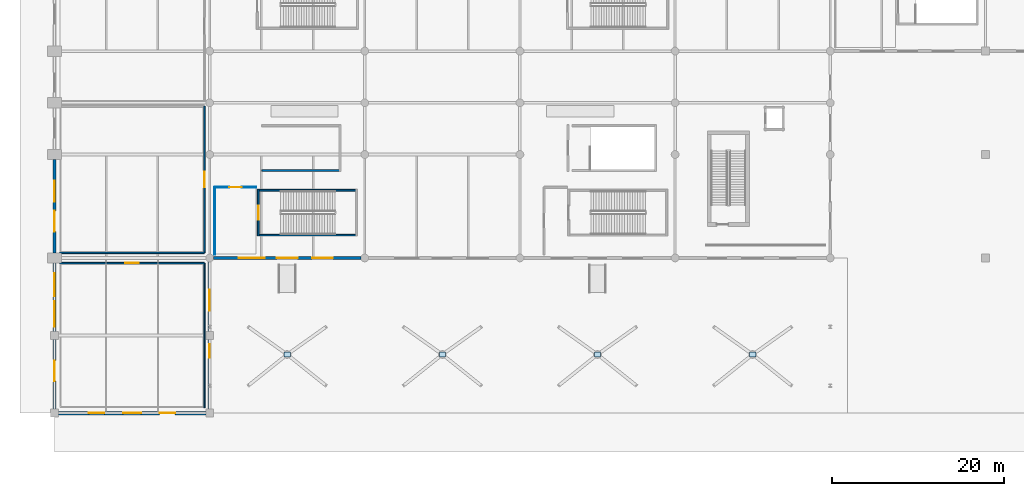
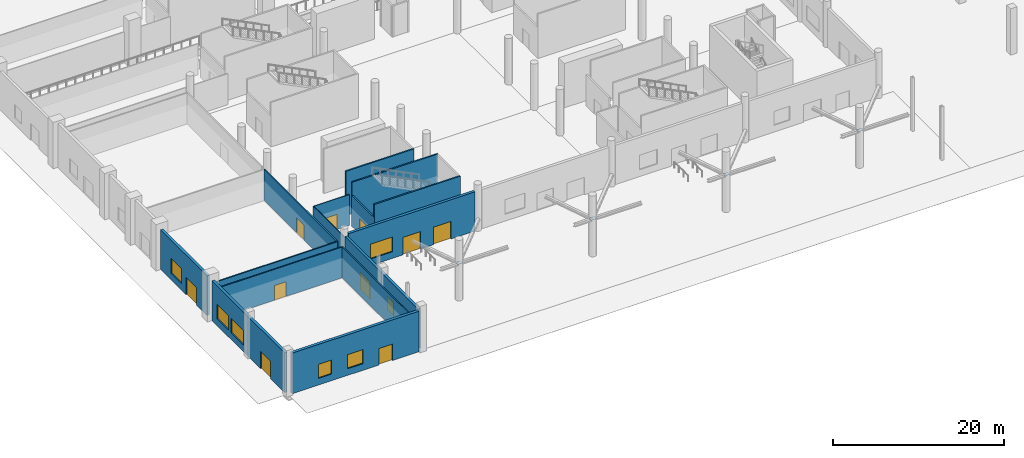
# One storey, part 13 of 65: 15 walls, 10 doors, 7 windows, 4 plates, 17 openings.
"""IFC4 building model written with IfcOpenShell, lengths in metres."""

import ifcopenshell
import ifcopenshell.guid

model = None  # the IFC model being written
_history = None  # IfcOwnerHistory: only IFC2X3 demands one
_inside = {}  # id of a spatial element -> (the spatial element, [elements in it])
_under = {}  # id of a project, library or spatial element -> (it, [spatial elements below it])
_declared = {}  # id of a project -> (the project, [libraries it declares])
_typed = {}  # id of a type object -> (the type object, [elements of that type])
_made_of = {}  # id of a material, layer set ... -> (it, [elements and type objects made of it])


def new_model(schema):
    """Start an empty IFC model of exactly this schema.

    Asked for "IFC4X3", IfcOpenShell would pick the latest addendum, in which some entities
    have other attributes; the version numbers below select the first issue.
    IFC2X3 requires an IfcOwnerHistory on every rooted entity: one is made here for all.
    """
    global model, _history
    if schema == "IFC4X3":
        model = ifcopenshell.file(schema_version=(4, 3, 0, 0))
    else:
        model = ifcopenshell.file(schema=schema)
    _inside.clear()
    _under.clear()
    _declared.clear()
    _typed.clear()
    _made_of.clear()
    _history = None
    if model.schema == "IFC2X3":
        org = make("IfcOrganization", Name="unknown")
        user = make(
            "IfcPersonAndOrganization",
            ThePerson=make("IfcPerson", FamilyName="unknown"),
            TheOrganization=org,
        )
        app = make(
            "IfcApplication",
            ApplicationDeveloper=org,
            Version="unknown",
            ApplicationFullName="unknown",
            ApplicationIdentifier="unknown",
        )
        _history = make(
            "IfcOwnerHistory",
            OwningUser=user,
            OwningApplication=app,
            ChangeAction="ADDED",
            CreationDate=0,
        )
    return model


def make(cls, **values):
    """One entity of the class cls with the attributes given. An attribute that is None is left unset."""
    return model.create_entity(
        cls, **{name: value for name, value in values.items() if value is not None}
    )


def rooted(cls, **values):
    """An entity with a GlobalId (a new one), such as an element, a storey or a relation."""
    return make(cls, GlobalId=ifcopenshell.guid.new(), OwnerHistory=_history, **values)


def si_unit(unit_type, name, prefix=None):
    """IfcSIUnit, for example si_unit("LENGTHUNIT", "METRE", prefix="MILLI")."""
    return make("IfcSIUnit", UnitType=unit_type, Prefix=prefix, Name=name)


def assignment(units):
    """IfcUnitAssignment: the units of a project."""
    return None if units is None else make("IfcUnitAssignment", Units=units)


def point(xyz):
    """IfcCartesianPoint."""
    return None if xyz is None else make("IfcCartesianPoint", Coordinates=xyz)


def direction(xyz):
    """IfcDirection."""
    return None if xyz is None else make("IfcDirection", DirectionRatios=xyz)


def frame(location, z_axis=None, x_axis=None):
    """IfcAxis2Placement3D, a coordinate frame: its origin and axes. An axis left out is left unset."""
    return make(
        "IfcAxis2Placement3D",
        Location=point(location),
        Axis=direction(z_axis),
        RefDirection=direction(x_axis),
    )


def frame_2d(location, x_axis=None):
    """IfcAxis2Placement2D, a coordinate frame in the plane: its origin and x axis."""
    return make(
        "IfcAxis2Placement2D", Location=point(location), RefDirection=direction(x_axis)
    )


def origin():
    """The frame at (0, 0, 0) with its axes left unset."""
    return frame((0.0, 0.0, 0.0))


def origin_2d():
    """The frame at (0, 0) in the plane with its x axis left unset."""
    return frame_2d((0.0, 0.0))


def place(relative_to, where):
    """IfcLocalPlacement: puts the frame where relative to a parent placement (None: the world)."""
    return make(
        "IfcLocalPlacement", PlacementRelTo=relative_to, RelativePlacement=where
    )


def context(
    kind, dimensions, precision=None, world=None, true_north=None, identifier=None
):
    """IfcGeometricRepresentationContext, for example the 3D "Model" context."""
    return make(
        "IfcGeometricRepresentationContext",
        ContextIdentifier=identifier,
        ContextType=kind,
        CoordinateSpaceDimension=dimensions,
        Precision=precision,
        WorldCoordinateSystem=world,
        TrueNorth=true_north,
    )


def subcontext(parent, identifier, kind, view, scale=None):
    """IfcGeometricRepresentationSubContext, for example "Body" below "Model"."""
    return make(
        "IfcGeometricRepresentationSubContext",
        ContextIdentifier=identifier,
        ContextType=kind,
        ParentContext=parent,
        TargetScale=scale,
        TargetView=view,
    )


def project(units=None, contexts=None):
    """IfcProject with its units and contexts."""
    return rooted(
        "IfcProject",
        Name="project",
        RepresentationContexts=contexts,
        UnitsInContext=assignment(units),
    )


def spatial(cls, under=None, at=None, **own):
    """A site, building, storey or space (cls), placed at a placement, below another one or the project."""
    s = rooted(cls, ObjectPlacement=at, **own)
    if under is not None:
        _under.setdefault(under.id(), (under, []))[1].append(s)
    return s


def profile(cls, at=None, kind="AREA", **sizes):
    """A parametric profile (cls). Its sizes go by their IFC names, for example OverallWidth=200.0."""
    return make(cls, ProfileType=kind, Position=at, **sizes)


def rectangle(**sizes):
    """IfcRectangleProfileDef."""
    return profile("IfcRectangleProfileDef", **sizes)


def extrude(swept, where, along, depth):
    """IfcExtrudedAreaSolid: the profile swept, set in the frame where, extruded along a direction by depth."""
    return make(
        "IfcExtrudedAreaSolid",
        SweptArea=swept,
        Position=where,
        ExtrudedDirection=direction(along),
        Depth=depth,
    )


def shape(context_of_items, identifier, shape_type, items):
    """IfcShapeRepresentation: the items that make up one representation, for example the "Body"."""
    return make(
        "IfcShapeRepresentation",
        ContextOfItems=context_of_items,
        RepresentationIdentifier=identifier,
        RepresentationType=shape_type,
        Items=items,
    )


def material(Name=None, Category=None):
    """IfcMaterial."""
    return make("IfcMaterial", Name=Name, Category=Category)


def layer(
    of_material, thickness, ventilated=None, Name=None, Category=None, Priority=None
):
    """IfcMaterialLayer: one layer of a wall or slab, of a material (None: an air gap)."""
    return make(
        "IfcMaterialLayer",
        Material=of_material,
        LayerThickness=thickness,
        IsVentilated=ventilated,
        Name=Name,
        Category=Category,
        Priority=Priority,
    )


def layer_set(layers, Name=None):
    """IfcMaterialLayerSet."""
    return make("IfcMaterialLayerSet", MaterialLayers=layers, LayerSetName=Name)


def made_of(thing, what):
    """Note that an element or type object is made of a material, layer set ...; save() writes the relation."""
    if what is not None:
        _made_of.setdefault(what.id(), (what, []))[1].append(thing)
    return thing


def type_object(cls, material=None, **own):
    """A type object (cls), such as IfcWallType, which elements share."""
    return made_of(rooted(cls, **own), material)


def element(
    cls,
    number,
    at=None,
    inside=None,
    cuts=None,
    type_object=None,
    material=None,
    context=None,
    identifier="Body",
    shape_type=None,
    held_by="IfcProductDefinitionShape",
    body=None,
    shapes=None,
    **own,
):
    """One element of the class cls, such as IfcWall. Its Tag is "e" and its number.

    at: its placement. inside: the storey or other place that contains it. cuts: it is an
    opening in that element (IfcRelVoidsElement). A single representation is given by context,
    identifier, shape_type and body (its items); several are given by shapes. held_by: the class
    of the entity that holds the representations. save() writes the other relations.
    """
    e = rooted(cls, Tag="e%d" % number, ObjectPlacement=at, **own)
    if body is not None:
        shapes = [shape(context, identifier, shape_type, body)]
    if shapes is not None:
        e.Representation = make(held_by, Representations=shapes)
    if inside is not None:
        _inside.setdefault(inside.id(), (inside, []))[1].append(e)
    if cuts is not None:
        rooted(
            "IfcRelVoidsElement", RelatingBuildingElement=cuts, RelatedOpeningElement=e
        )
    if type_object is not None:
        _typed.setdefault(type_object.id(), (type_object, []))[1].append(e)
    return made_of(e, material)


def fill(opening, filler):
    """IfcRelFillsElement: the door or window that sits in an opening."""
    return rooted(
        "IfcRelFillsElement",
        RelatingOpeningElement=opening,
        RelatedBuildingElement=filler,
    )


def aggregate(whole, parts):
    """IfcRelAggregates: a whole, such as a stair, and the parts it consists of."""
    return rooted("IfcRelAggregates", RelatingObject=whole, RelatedObjects=parts)


def save(model, path):
    """Write the relations noted so far, then the file.

    IfcRelAggregates (storeys below a building ...), IfcRelContainedInSpatialStructure (elements
    in a storey), IfcRelDefinesByType, IfcRelAssociatesMaterial and IfcRelDeclares: one each for
    every whole, place, type object, material and project.
    """
    for whole, parts in _under.values():
        aggregate(whole, parts)
    for where, things in _inside.values():
        rooted(
            "IfcRelContainedInSpatialStructure",
            RelatedElements=things,
            RelatingStructure=where,
        )
    for kind, things in _typed.values():
        rooted("IfcRelDefinesByType", RelatedObjects=things, RelatingType=kind)
    for what, things in _made_of.values():
        rooted("IfcRelAssociatesMaterial", RelatedObjects=things, RelatingMaterial=what)
    for by, libraries in _declared.values():
        rooted("IfcRelDeclares", RelatingContext=by, RelatedDefinitions=libraries)
    model.write(path)


model = new_model("IFC4")

# Units and contexts
model_context = context("Model", 3, precision=1e-05, world=origin(), true_north=direction((0.0, 1.0)))
body_context = subcontext(model_context, "Body", "Model", "MODEL_VIEW")
ifc_project = project(units=[si_unit("LENGTHUNIT", "METRE"), si_unit("AREAUNIT", "SQUARE_METRE"), si_unit("VOLUMEUNIT", "CUBIC_METRE"), si_unit("PLANEANGLEUNIT", "RADIAN"), si_unit("MASSUNIT", "GRAM", prefix="KILO")], contexts=[model_context])

# Site, building, storey
site_placement = place(None, origin())
site = spatial("IfcSite", under=ifc_project, at=site_placement, CompositionType="ELEMENT")
building_placement = place(site_placement, origin())
building = spatial("IfcBuilding", under=site, at=building_placement, Name="Chuanluo Vaults Station", CompositionType="ELEMENT")
storey_placement = place(building_placement, origin())
storey = spatial("IfcBuildingStorey", under=building, at=storey_placement, Name="L00", CompositionType="ELEMENT", Elevation=0.0)

# Plates
ifc_material_1 = material(Name="Steel Q355C", Category="steel")
ifc_layer_1 = layer(ifc_material_1, 0.02392578125)
ifc_layer_set_1 = layer_set([ifc_layer_1], Name="Steel Q355C")
plate_type = type_object("IfcPlateType", Name="PLT-GUS-24", PredefinedType="USERDEFINED", material=ifc_layer_set_1)
for number, where, z_axis, x_axis, name in (
    (1, (27.0, 6.800048828125, 5.137939453125), (0.0, 0.0, 1.0), (1.0, 0.0, 0.0), "Canopy Y-pier node plate 01"),
    (2, (45.0, 6.800048828125, 5.137939453125), (0.0, 0.0, 1.0), (1.0, 0.0, 0.0), "Canopy Y-pier node plate 02"),
    (3, (63.0, 6.800048828125, 5.137939453125), (0.0, 0.0, 1.0), (1.0, 0.0, 0.0), "Canopy Y-pier node plate 03"),
    (4, (81.0, 6.800048828125, 5.137939453125), (0.0, 0.0, 1.0), (1.0, 0.0, 0.0), "Canopy Y-pier node plate 04"),
):
    element("IfcPlate", number, at=place(storey_placement, frame(where, z_axis=z_axis, x_axis=x_axis)), inside=storey, type_object=plate_type, Name=name, ObjectType="GUSSET_PLATE", PredefinedType="USERDEFINED", context=body_context, shape_type="SweptSolid", body=[
        extrude(rectangle(XDim=0.719970703125, YDim=0.5400390625, at=origin_2d()), origin(), (0.0, 0.0, 1.0), 0.02392578125),
    ])

# Wall, openings, door, window
ifc_material_2 = material(Name="Concrete C50", Category="concrete")
ifc_layer_2 = layer(ifc_material_2, 0.340087890625)
ifc_layer_set_2 = layer_set([ifc_layer_2], Name="Concrete C50")
wall_type_1 = type_object("IfcWallType", Name="WL-EXT-340", PredefinedType="SOLIDWALL", material=ifc_layer_set_2)
wall_1_placement = place(storey_placement, frame((18.0, 17.550048828125, 0.0), z_axis=(0.0, 0.0, 1.0), x_axis=(0.0, -1.0, 0.0)))
wall_1 = element("IfcWall", 5, at=wall_1_placement, inside=storey, type_object=wall_type_1, Name="Forecourt west streetwall", PredefinedType="SOLIDWALL", context=body_context, shape_type="SweptSolid", body=[
    extrude(rectangle(XDim=17.10009765625, YDim=0.340087890625, at=frame_2d((8.550048828125, 0.0))), origin(), (0.0, 0.0, 1.0), 5.594970703125),
])
opening_1_placement = place(wall_1_placement, frame((3.25, 0.0, 0.0)))
opening_1 = element("IfcOpeningElement", 6, at=opening_1_placement, cuts=wall_1, Name="Opening D-E04", PredefinedType="OPENING", context=body_context, shape_type="SweptSolid", body=[
    extrude(rectangle(XDim=2.39990234375, YDim=2.5, at=frame_2d((1.199951171875, 1.25))), frame((0.0, 0.17992, 0.0), z_axis=(0.0, -1.0, 0.0), x_axis=(1.0, 0.0, 0.0)), (0.0, 0.0, 1.0), 0.36009),
])
opening_2_placement = place(wall_1_placement, frame((9.550048828125, 0.0, 0.949951171875)))
opening_2 = element("IfcOpeningElement", 7, at=opening_2_placement, cuts=wall_1, Name="Opening W-21", PredefinedType="OPENING", context=body_context, shape_type="SweptSolid", body=[
    extrude(rectangle(XDim=1.60009765625, YDim=1.89990234375, at=frame_2d((0.800048828125, 0.949951171875))), frame((0.0, 0.17992, 0.0), z_axis=(0.0, -1.0, 0.0), x_axis=(1.0, 0.0, 0.0)), (0.0, 0.0, 1.0), 0.36009),
])
ifc_material_3 = material(Name="Anodised aluminium 6063-T6", Category="aluminium")
door_type_1 = type_object("IfcDoorType", Name="DR-EXT-2400x2500", OperationType="NOTDEFINED", PredefinedType="DOOR", material=ifc_material_3)
door_1_placement = place(opening_1_placement, origin())
door_1 = element("IfcDoor", 8, at=door_1_placement, inside=storey, type_object=door_type_1, Name="D-015 Forecourt west streetwall exit door", OperationType="SINGLE_SWING_LEFT", OverallHeight=2.5, OverallWidth=2.39990234375, PredefinedType="DOOR", context=body_context, shape_type="SweptSolid", body=[
    extrude(rectangle(XDim=2.39990234375, YDim=2.5, at=frame_2d((1.199951171875, 1.25))), frame((0.0, 0.02490234375, 0.0), z_axis=(0.0, -1.0, 0.0), x_axis=(1.0, 0.0, 0.0)), (0.0, 0.0, 1.0), 0.050048828125),
])
fill(opening_1, door_1)
ifc_material_4 = material(Name="Double-silver Low-E laminated glass", Category="glass")
window_type_1 = type_object("IfcWindowType", Name="WN-RET-1600x1900", PartitioningType="SINGLE_PANEL", PredefinedType="WINDOW", material=ifc_material_4)
window_1_placement = place(opening_2_placement, origin())
window_1 = element("IfcWindow", 9, at=window_1_placement, inside=storey, type_object=window_type_1, Name="W-012 Ground streetwall window", OverallHeight=1.89990234375, OverallWidth=1.60009765625, PartitioningType="SINGLE_PANEL", PredefinedType="WINDOW", context=body_context, shape_type="SweptSolid", body=[
    extrude(rectangle(XDim=1.60009765625, YDim=1.89990234375, at=frame_2d((0.800048828125, 0.949951171875))), frame((0.0, 0.030029296875, 0.0), z_axis=(0.0, -1.0, 0.0), x_axis=(1.0, 0.0, 0.0)), (0.0, 0.0, 1.0), 0.06005859375),
])
fill(opening_2, window_1)

# Wall, openings, doors, window
ifc_material_5 = material(Name="Concrete C50", Category="concrete")
ifc_layer_3 = layer(ifc_material_5, 0.360107421875)
ifc_layer_set_3 = layer_set([ifc_layer_3], Name="Concrete C50")
wall_type_2 = type_object("IfcWallType", Name="WL-EXT-360", PredefinedType="SOLIDWALL", material=ifc_layer_set_3)
wall_2_placement = place(storey_placement, frame((35.550048828125, 18.0, 0.0), z_axis=(0.0, 0.0, 1.0), x_axis=(-1.0, 0.0, 0.0)))
wall_2 = element("IfcWall", 10, at=wall_2_placement, inside=storey, type_object=wall_type_2, Name="Forecourt south entrance wall 1", PredefinedType="SOLIDWALL", context=body_context, shape_type="SweptSolid", body=[
    extrude(rectangle(XDim=17.10009765625, YDim=0.360107421875, at=frame_2d((8.550048828125, 0.0))), origin(), (0.0, 0.0, 1.0), 5.594970703125),
])
opening_3_placement = place(wall_2_placement, frame((3.25, 0.0, 0.0)))
opening_3 = element("IfcOpeningElement", 11, at=opening_3_placement, cuts=wall_2, Name="Opening D-E04", PredefinedType="OPENING", context=body_context, shape_type="SweptSolid", body=[
    extrude(rectangle(XDim=2.39990234375, YDim=2.5, at=frame_2d((1.199951171875, 1.25))), frame((0.0, 0.19018, 0.0), z_axis=(0.0, -1.0, 0.0), x_axis=(1.0, 0.0, 0.0)), (0.0, 0.0, 1.0), 0.38011),
])
opening_4_placement = place(wall_2_placement, frame((7.35009765625, 0.0, 0.0)))
opening_4 = element("IfcOpeningElement", 12, at=opening_4_placement, cuts=wall_2, Name="Opening D-E04", PredefinedType="OPENING", context=body_context, shape_type="SweptSolid", body=[
    extrude(rectangle(XDim=2.39990234375, YDim=2.5, at=frame_2d((1.199951171875, 1.25))), frame((0.0, 0.19018, 0.0), z_axis=(0.0, -1.0, 0.0), x_axis=(1.0, 0.0, 0.0)), (0.0, 0.0, 1.0), 0.38011),
])
opening_5_placement = place(wall_2_placement, frame((11.14990234375, 0.0, 0.949951171875)))
opening_5 = element("IfcOpeningElement", 13, at=opening_5_placement, cuts=wall_2, Name="Opening W-16", PredefinedType="OPENING", context=body_context, shape_type="SweptSolid", body=[
    extrude(rectangle(XDim=3.0, YDim=2.10009765625, at=frame_2d((1.5, 1.050048828125))), frame((0.0, 0.19018, 0.0), z_axis=(0.0, -1.0, 0.0), x_axis=(1.0, 0.0, 0.0)), (0.0, 0.0, 1.0), 0.38011),
])
door_2_placement = place(opening_3_placement, origin())
door_2 = element("IfcDoor", 14, at=door_2_placement, inside=storey, type_object=door_type_1, Name="D-001 Forecourt south entrance wall 1 exit door", OperationType="SINGLE_SWING_LEFT", OverallHeight=2.5, OverallWidth=2.39990234375, PredefinedType="DOOR", context=body_context, shape_type="SweptSolid", body=[
    extrude(rectangle(XDim=2.39990234375, YDim=2.5, at=frame_2d((1.199951171875, 1.25))), frame((0.0, 0.02490234375, 0.0), z_axis=(0.0, -1.0, 0.0), x_axis=(1.0, 0.0, 0.0)), (0.0, 0.0, 1.0), 0.050048828125),
])
fill(opening_3, door_2)
door_3_placement = place(opening_4_placement, origin())
door_3 = element("IfcDoor", 15, at=door_3_placement, inside=storey, type_object=door_type_1, Name="D-002 Forecourt south entrance wall 1 exit door", OperationType="SINGLE_SWING_RIGHT", OverallHeight=2.5, OverallWidth=2.39990234375, PredefinedType="DOOR", context=body_context, shape_type="SweptSolid", body=[
    extrude(rectangle(XDim=2.39990234375, YDim=2.5, at=frame_2d((1.199951171875, 1.25))), frame((0.0, 0.02490234375, 0.0), z_axis=(0.0, -1.0, 0.0), x_axis=(1.0, 0.0, 0.0)), (0.0, 0.0, 1.0), 0.050048828125),
])
fill(opening_4, door_3)
ifc_material_6 = material(Name="Double-silver Low-E laminated glass", Category="glass")
window_type_2 = type_object("IfcWindowType", Name="WN-RET-3000x2100", PartitioningType="SINGLE_PANEL", PredefinedType="WINDOW", material=ifc_material_6)
window_2_placement = place(opening_5_placement, origin())
window_2 = element("IfcWindow", 16, at=window_2_placement, inside=storey, type_object=window_type_2, Name="W-001 Ground streetwall window", OverallHeight=2.10009765625, OverallWidth=3.0, PartitioningType="SINGLE_PANEL", PredefinedType="WINDOW", context=body_context, shape_type="SweptSolid", body=[
    extrude(rectangle(XDim=3.0, YDim=2.10009765625, at=frame_2d((1.5, 1.050048828125))), frame((0.0, 0.030029296875, 0.0), z_axis=(0.0, -1.0, 0.0), x_axis=(1.0, 0.0, 0.0)), (0.0, 0.0, 1.0), 0.06005859375),
])
fill(opening_5, window_2)

# Wall, openings, door, windows
wall_3_placement = place(storey_placement, frame((0.0, 0.449951171875, 0.0), z_axis=(0.0, 0.0, 1.0), x_axis=(0.0, 1.0, 0.0)))
wall_3 = element("IfcWall", 17, at=wall_3_placement, inside=storey, type_object=wall_type_2, Name="West streetwall 1", PredefinedType="SOLIDWALL", context=body_context, shape_type="SweptSolid", body=[
    extrude(rectangle(XDim=16.949951171875, YDim=0.360107421875, at=frame_2d((8.47509765625, 0.0))), origin(), (0.0, 0.0, 1.0), 5.669921875),
])
opening_6_placement = place(wall_3_placement, frame((3.25, 0.0, 0.0)))
opening_6 = element("IfcOpeningElement", 18, at=opening_6_placement, cuts=wall_3, Name="Opening D-E04", PredefinedType="OPENING", context=body_context, shape_type="SweptSolid", body=[
    extrude(rectangle(XDim=2.39990234375, YDim=2.5, at=frame_2d((1.199951171875, 1.25))), frame((0.0, 0.19018, 0.0), z_axis=(0.0, -1.0, 0.0), x_axis=(1.0, 0.0, 0.0)), (0.0, 0.0, 1.0), 0.38011),
])
opening_7_placement = place(wall_3_placement, frame((9.550048828125, 0.0, 0.949951171875)))
opening_7 = element("IfcOpeningElement", 19, at=opening_7_placement, cuts=wall_3, Name="Opening W-16", PredefinedType="OPENING", context=body_context, shape_type="SweptSolid", body=[
    extrude(rectangle(XDim=3.0, YDim=2.10009765625, at=frame_2d((1.5, 1.050048828125))), frame((0.0, 0.19018, 0.0), z_axis=(0.0, -1.0, 0.0), x_axis=(1.0, 0.0, 0.0)), (0.0, 0.0, 1.0), 0.38011),
])
opening_8_placement = place(wall_3_placement, frame((13.10009765625, 0.0, 0.949951171875)))
opening_8 = element("IfcOpeningElement", 20, at=opening_8_placement, cuts=wall_3, Name="Opening W-17", PredefinedType="OPENING", context=body_context, shape_type="SweptSolid", body=[
    extrude(rectangle(XDim=2.699951171875, YDim=2.10009765625, at=frame_2d((1.35009765625, 1.050048828125))), frame((0.0, 0.19018, 0.0), z_axis=(0.0, -1.0, 0.0), x_axis=(1.0, 0.0, 0.0)), (0.0, 0.0, 1.0), 0.38011),
])
door_4_placement = place(opening_6_placement, origin())
door_4 = element("IfcDoor", 21, at=door_4_placement, inside=storey, type_object=door_type_1, Name="D-016 West streetwall 1 exit door", OperationType="SINGLE_SWING_RIGHT", OverallHeight=2.5, OverallWidth=2.39990234375, PredefinedType="DOOR", context=body_context, shape_type="SweptSolid", body=[
    extrude(rectangle(XDim=2.39990234375, YDim=2.5, at=frame_2d((1.199951171875, 1.25))), frame((0.0, 0.02490234375, 0.0), z_axis=(0.0, -1.0, 0.0), x_axis=(1.0, 0.0, 0.0)), (0.0, 0.0, 1.0), 0.050048828125),
])
fill(opening_6, door_4)
ifc_material_7 = material(Name="Double-silver Low-E laminated glass", Category="glass")
window_type_3 = type_object("IfcWindowType", Name="WN-RET-2700x2100", PartitioningType="SINGLE_PANEL", PredefinedType="WINDOW", material=ifc_material_7)
window_3_placement = place(opening_8_placement, origin())
window_3 = element("IfcWindow", 22, at=window_3_placement, inside=storey, type_object=window_type_3, Name="W-014 Ground streetwall window", OverallHeight=2.10009765625, OverallWidth=2.699951171875, PartitioningType="SINGLE_PANEL", PredefinedType="WINDOW", context=body_context, shape_type="SweptSolid", body=[
    extrude(rectangle(XDim=2.699951171875, YDim=2.10009765625, at=frame_2d((1.35009765625, 1.050048828125))), frame((0.0, 0.030029296875, 0.0), z_axis=(0.0, -1.0, 0.0), x_axis=(1.0, 0.0, 0.0)), (0.0, 0.0, 1.0), 0.06005859375),
])
fill(opening_8, window_3)
window_4_placement = place(opening_7_placement, origin())
window_4 = element("IfcWindow", 23, at=window_4_placement, inside=storey, type_object=window_type_2, Name="W-013 Ground streetwall window", OverallHeight=2.10009765625, OverallWidth=3.0, PartitioningType="SINGLE_PANEL", PredefinedType="WINDOW", context=body_context, shape_type="SweptSolid", body=[
    extrude(rectangle(XDim=3.0, YDim=2.10009765625, at=frame_2d((1.5, 1.050048828125))), frame((0.0, 0.030029296875, 0.0), z_axis=(0.0, -1.0, 0.0), x_axis=(1.0, 0.0, 0.0)), (0.0, 0.0, 1.0), 0.06005859375),
])
fill(opening_7, window_4)

# Wall, openings, door, window
wall_4_placement = place(storey_placement, frame((0.0, 18.60009765625, 0.0), z_axis=(0.0, 0.0, 1.0), x_axis=(0.0, 1.0, 0.0)))
wall_4 = element("IfcWall", 24, at=wall_4_placement, inside=storey, type_object=wall_type_2, Name="West streetwall 2", PredefinedType="SOLIDWALL", context=body_context, shape_type="SweptSolid", body=[
    extrude(rectangle(XDim=10.7998046875, YDim=0.360107421875, at=frame_2d((5.39990234375, 0.0))), origin(), (0.0, 0.0, 1.0), 5.669921875),
])
opening_9_placement = place(wall_4_placement, frame((2.466796875, 0.0, 0.0)))
opening_9 = element("IfcOpeningElement", 25, at=opening_9_placement, cuts=wall_4, Name="Opening D-E04", PredefinedType="OPENING", context=body_context, shape_type="SweptSolid", body=[
    extrude(rectangle(XDim=2.39990234375, YDim=2.5, at=frame_2d((1.199951171875, 1.25))), frame((0.0, 0.19018, 0.0), z_axis=(0.0, -1.0, 0.0), x_axis=(1.0, 0.0, 0.0)), (0.0, 0.0, 1.0), 0.38011),
])
opening_10_placement = place(wall_4_placement, frame((5.933349609375, 0.0, 0.949951171875)))
opening_10 = element("IfcOpeningElement", 26, at=opening_10_placement, cuts=wall_4, Name="Opening W-18", PredefinedType="OPENING", context=body_context, shape_type="SweptSolid", body=[
    extrude(rectangle(XDim=2.39990234375, YDim=2.10009765625, at=frame_2d((1.199951171875, 1.050048828125))), frame((0.0, 0.19018, 0.0), z_axis=(0.0, -1.0, 0.0), x_axis=(1.0, 0.0, 0.0)), (0.0, 0.0, 1.0), 0.38011),
])
door_5_placement = place(opening_9_placement, origin())
door_5 = element("IfcDoor", 27, at=door_5_placement, inside=storey, type_object=door_type_1, Name="D-017 West streetwall 2 exit door", OperationType="SINGLE_SWING_LEFT", OverallHeight=2.5, OverallWidth=2.39990234375, PredefinedType="DOOR", context=body_context, shape_type="SweptSolid", body=[
    extrude(rectangle(XDim=2.39990234375, YDim=2.5, at=frame_2d((1.199951171875, 1.25))), frame((0.0, 0.02490234375, 0.0), z_axis=(0.0, -1.0, 0.0), x_axis=(1.0, 0.0, 0.0)), (0.0, 0.0, 1.0), 0.050048828125),
])
fill(opening_9, door_5)
ifc_material_8 = material(Name="Double-silver Low-E laminated glass", Category="glass")
window_type_4 = type_object("IfcWindowType", Name="WN-RET-2400x2100", PartitioningType="SINGLE_PANEL", PredefinedType="WINDOW", material=ifc_material_8)
window_5_placement = place(opening_10_placement, origin())
window_5 = element("IfcWindow", 28, at=window_5_placement, inside=storey, type_object=window_type_4, Name="W-015 Ground streetwall window", OverallHeight=2.10009765625, OverallWidth=2.39990234375, PartitioningType="SINGLE_PANEL", PredefinedType="WINDOW", context=body_context, shape_type="SweptSolid", body=[
    extrude(rectangle(XDim=2.39990234375, YDim=2.10009765625, at=frame_2d((1.199951171875, 1.050048828125))), frame((0.0, 0.030029296875, 0.0), z_axis=(0.0, -1.0, 0.0), x_axis=(1.0, 0.0, 0.0)), (0.0, 0.0, 1.0), 0.06005859375),
])
fill(opening_10, window_5)

# Wall, openings, door, windows
ifc_material_9 = material(Name="Concrete C50", Category="concrete")
ifc_layer_4 = layer(ifc_material_9, 0.3798828125)
ifc_layer_set_4 = layer_set([ifc_layer_4], Name="Concrete C50")
wall_type_3 = type_object("IfcWallType", Name="WL-EXT-380", PredefinedType="SOLIDWALL", material=ifc_layer_set_4)
wall_5_placement = place(storey_placement, frame((17.550048828125, 0.0, 0.0), z_axis=(0.0, 0.0, 1.0), x_axis=(-1.0, 0.0, 0.0)))
wall_5 = element("IfcWall", 29, at=wall_5_placement, inside=storey, type_object=wall_type_3, Name="South-west streetwall", PredefinedType="SOLIDWALL", context=body_context, shape_type="SweptSolid", body=[
    extrude(rectangle(XDim=17.10009765625, YDim=0.3798828125, at=frame_2d((8.550048828125, 0.0))), origin(), (0.0, 0.0, 1.0), 5.7900390625),
])
opening_11_placement = place(wall_5_placement, frame((3.550048828125, 0.0, 0.0)))
opening_11 = element("IfcOpeningElement", 30, at=opening_11_placement, cuts=wall_5, Name="Opening D-E07", PredefinedType="OPENING", context=body_context, shape_type="SweptSolid", body=[
    extrude(rectangle(XDim=1.800048828125, YDim=2.35009765625, at=frame_2d((0.89990234375, 1.175048828125))), frame((0.0, 0.19994, 0.0), z_axis=(0.0, -1.0, 0.0), x_axis=(1.0, 0.0, 0.0)), (0.0, 0.0, 1.0), 0.39988),
])
opening_12_placement = place(wall_5_placement, frame((7.5, 0.0, 0.949951171875)))
opening_12 = element("IfcOpeningElement", 31, at=opening_12_placement, cuts=wall_5, Name="Opening W-19", PredefinedType="OPENING", context=body_context, shape_type="SweptSolid", body=[
    extrude(rectangle(XDim=2.10009765625, YDim=2.0, at=frame_2d((1.050048828125, 1.0))), frame((0.0, 0.19994, 0.0), z_axis=(0.0, -1.0, 0.0), x_axis=(1.0, 0.0, 0.0)), (0.0, 0.0, 1.0), 0.39988),
])
opening_13_placement = place(wall_5_placement, frame((11.75, 0.0, 0.949951171875)))
opening_13 = element("IfcOpeningElement", 32, at=opening_13_placement, cuts=wall_5, Name="Opening W-20", PredefinedType="OPENING", context=body_context, shape_type="SweptSolid", body=[
    extrude(rectangle(XDim=1.800048828125, YDim=2.0, at=frame_2d((0.89990234375, 1.0))), frame((0.0, 0.19994, 0.0), z_axis=(0.0, -1.0, 0.0), x_axis=(1.0, 0.0, 0.0)), (0.0, 0.0, 1.0), 0.39988),
])
ifc_material_10 = material(Name="Anodised aluminium 6063-T6", Category="aluminium")
door_type_2 = type_object("IfcDoorType", Name="DR-EXT-1800x2350", OperationType="NOTDEFINED", PredefinedType="DOOR", material=ifc_material_10)
door_6_placement = place(opening_11_placement, origin())
door_6 = element("IfcDoor", 33, at=door_6_placement, inside=storey, type_object=door_type_2, Name="D-014 South-west streetwall exit door", OperationType="SINGLE_SWING_RIGHT", OverallHeight=2.35009765625, OverallWidth=1.800048828125, PredefinedType="DOOR", context=body_context, shape_type="SweptSolid", body=[
    extrude(rectangle(XDim=1.800048828125, YDim=2.35009765625, at=frame_2d((0.89990234375, 1.175048828125))), frame((0.0, 0.02490234375, 0.0), z_axis=(0.0, -1.0, 0.0), x_axis=(1.0, 0.0, 0.0)), (0.0, 0.0, 1.0), 0.050048828125),
])
fill(opening_11, door_6)
ifc_material_11 = material(Name="Double-silver Low-E laminated glass", Category="glass")
window_type_5 = type_object("IfcWindowType", Name="WN-RET-1800x2000", PartitioningType="SINGLE_PANEL", PredefinedType="WINDOW", material=ifc_material_11)
window_6_placement = place(opening_13_placement, origin())
window_6 = element("IfcWindow", 34, at=window_6_placement, inside=storey, type_object=window_type_5, Name="W-011 Ground streetwall window", OverallHeight=2.0, OverallWidth=1.800048828125, PartitioningType="SINGLE_PANEL", PredefinedType="WINDOW", context=body_context, shape_type="SweptSolid", body=[
    extrude(rectangle(XDim=1.800048828125, YDim=2.0, at=frame_2d((0.89990234375, 1.0))), frame((0.0, 0.030029296875, 0.0), z_axis=(0.0, -1.0, 0.0), x_axis=(1.0, 0.0, 0.0)), (0.0, 0.0, 1.0), 0.06005859375),
])
fill(opening_13, window_6)
ifc_material_12 = material(Name="Double-silver Low-E laminated glass", Category="glass")
window_type_6 = type_object("IfcWindowType", Name="WN-RET-2100x2000", PartitioningType="SINGLE_PANEL", PredefinedType="WINDOW", material=ifc_material_12)
window_7_placement = place(opening_12_placement, origin())
window_7 = element("IfcWindow", 35, at=window_7_placement, inside=storey, type_object=window_type_6, Name="W-010 Ground streetwall window", OverallHeight=2.0, OverallWidth=2.10009765625, PartitioningType="SINGLE_PANEL", PredefinedType="WINDOW", context=body_context, shape_type="SweptSolid", body=[
    extrude(rectangle(XDim=2.10009765625, YDim=2.0, at=frame_2d((1.050048828125, 1.0))), frame((0.0, 0.030029296875, 0.0), z_axis=(0.0, -1.0, 0.0), x_axis=(1.0, 0.0, 0.0)), (0.0, 0.0, 1.0), 0.06005859375),
])
fill(opening_12, window_7)

# Wall, opening, door
ifc_material_13 = material(Name="Masonry blockwork M10", Category="masonry")
ifc_layer_5 = layer(ifc_material_13, 0.10009765625)
ifc_layer_set_5 = layer_set([ifc_layer_5], Name="Masonry blockwork M10")
wall_type_4 = type_object("IfcWallType", Name="WL-PRT-100", PredefinedType="PARTITIONING", material=ifc_layer_set_5)
wall_6_placement = place(storey_placement, frame((18.60009765625, 26.199951171875, 0.0), z_axis=(0.0, 0.0, 1.0), x_axis=(1.0, 0.0, 0.0)))
wall_6 = element("IfcWall", 36, at=wall_6_placement, inside=storey, type_object=wall_type_4, Name="L00-EX18 Stair ST-18 Protected Ground Exit Lobby N partition", PredefinedType="PARTITIONING", context=body_context, shape_type="SweptSolid", body=[
    extrude(rectangle(XDim=4.7998046875, YDim=0.10009765625, at=frame_2d((2.39990234375, 0.0))), origin(), (0.0, 0.0, 1.0), 4.39990234375),
])
opening_14_placement = place(wall_6_placement, frame((1.64990234375, 0.0, 0.0)))
opening_14 = element("IfcOpeningElement", 37, at=opening_14_placement, cuts=wall_6, Name="Opening FD-03", PredefinedType="OPENING", context=body_context, shape_type="SweptSolid", body=[
    extrude(rectangle(XDim=1.5, YDim=2.14990234375, at=frame_2d((0.75, 1.074951171875))), frame((0.0, 0.06005, 0.0), z_axis=(0.0, -1.0, 0.0), x_axis=(1.0, 0.0, 0.0)), (0.0, 0.0, 1.0), 0.1201),
])
ifc_material_14 = material(Name="Fire-rated steel leaf", Category="steel")
door_type_3 = type_object("IfcDoorType", Name="DR-FIR-1500x2150", OperationType="NOTDEFINED", PredefinedType="DOOR", material=ifc_material_14)
door_7_placement = place(opening_14_placement, origin())
door_7 = element("IfcDoor", 38, at=door_7_placement, inside=storey, type_object=door_type_3, Name="D-151 Stair ST-18 Protected Ground Exit Lobby door", OperationType="SINGLE_SWING_RIGHT", OverallHeight=2.14990234375, OverallWidth=1.5, PredefinedType="DOOR", context=body_context, shape_type="SweptSolid", body=[
    extrude(rectangle(XDim=1.5, YDim=2.14990234375, at=frame_2d((0.75, 1.074951171875))), frame((0.0, 0.02490234375, 0.0), z_axis=(0.0, -1.0, 0.0), x_axis=(1.0, 0.0, 0.0)), (0.0, 0.0, 1.0), 0.050048828125),
])
fill(opening_14, door_7)

# Wall
wall_7_placement = place(storey_placement, frame((18.60009765625, 18.39990234375, 0.0), z_axis=(0.0, 0.0, 1.0), x_axis=(0.0, 1.0, 0.0)))
element("IfcWall", 39, at=wall_7_placement, inside=storey, type_object=wall_type_4, Name="L00-EX18 Stair ST-18 Protected Ground Exit Lobby W partition", PredefinedType="PARTITIONING", context=body_context, shape_type="SweptSolid", body=[
    extrude(rectangle(XDim=7.800048828125, YDim=0.10009765625, at=frame_2d((3.89990234375, 0.0))), origin(), (0.0, 0.0, 1.0), 4.39990234375),
])

# Wall, opening, door
ifc_material_15 = material(Name="Autoclaved aerated concrete blockwork MU10", Category="masonry")
ifc_layer_6 = layer(ifc_material_15, 0.14990234375)
ifc_layer_set_6 = layer_set([ifc_layer_6], Name="Autoclaved aerated concrete blockwork MU10")
wall_type_5 = type_object("IfcWallType", Name="WL-PRT-150", PredefinedType="PARTITIONING", material=ifc_layer_set_6)
wall_8_placement = place(storey_placement, frame((0.60009765625, 17.39990234375, 0.0), z_axis=(0.0, 0.0, 1.0), x_axis=(1.0, 0.0, 0.0)))
wall_8 = element("IfcWall", 40, at=wall_8_placement, inside=storey, type_object=wall_type_5, Name="L00-04 West Concourse Retail Boutique N partition", PredefinedType="PARTITIONING", context=body_context, shape_type="SweptSolid", body=[
    extrude(rectangle(XDim=16.7998046875, YDim=0.14990234375, at=frame_2d((8.39990234375, 0.0))), origin(), (0.0, 0.0, 1.0), 4.39990234375),
])
opening_15_placement = place(wall_8_placement, frame((7.625, 0.0, 0.0)))
opening_15 = element("IfcOpeningElement", 41, at=opening_15_placement, cuts=wall_8, Name="Opening D-I03", PredefinedType="OPENING", context=body_context, shape_type="SweptSolid", body=[
    extrude(rectangle(XDim=1.550048828125, YDim=2.10009765625, at=frame_2d((0.77490234375, 1.050048828125))), frame((0.0, 0.08495, 0.0), z_axis=(0.0, -1.0, 0.0), x_axis=(1.0, 0.0, 0.0)), (0.0, 0.0, 1.0), 0.1699),
])
ifc_material_16 = material(Name="Anodised aluminium 6063-T6", Category="aluminium")
door_type_4 = type_object("IfcDoorType", Name="DR-INT-1550x2100", OperationType="NOTDEFINED", PredefinedType="DOOR", material=ifc_material_16)
door_8_placement = place(opening_15_placement, origin())
door_8 = element("IfcDoor", 42, at=door_8_placement, inside=storey, type_object=door_type_4, Name="D-155 West Concourse Retail Boutique door", OperationType="SINGLE_SWING_RIGHT", OverallHeight=2.10009765625, OverallWidth=1.550048828125, PredefinedType="DOOR", context=body_context, shape_type="SweptSolid", body=[
    extrude(rectangle(XDim=1.550048828125, YDim=2.10009765625, at=frame_2d((0.77490234375, 1.050048828125))), frame((0.0, 0.02490234375, 0.0), z_axis=(0.0, -1.0, 0.0), x_axis=(1.0, 0.0, 0.0)), (0.0, 0.0, 1.0), 0.050048828125),
])
fill(opening_15, door_8)

# Walls
wall_9_placement = place(storey_placement, frame((17.39990234375, 17.39990234375, 0.0), z_axis=(0.0, 0.0, 1.0), x_axis=(0.0, -1.0, 0.0)))
element("IfcWall", 43, at=wall_9_placement, inside=storey, type_object=wall_type_5, Name="L00-04 West Concourse Retail Boutique E partition", PredefinedType="PARTITIONING", context=body_context, shape_type="SweptSolid", body=[
    extrude(rectangle(XDim=16.7998046875, YDim=0.14990234375, at=frame_2d((8.39990234375, 0.0))), origin(), (0.0, 0.0, 1.0), 4.39990234375),
])
ifc_material_17 = material(Name="Autoclaved aerated concrete blockwork MU10", Category="masonry")
ifc_layer_7 = layer(ifc_material_17, 0.175048828125)
ifc_layer_set_7 = layer_set([ifc_layer_7], Name="Autoclaved aerated concrete blockwork MU10")
wall_type_6 = type_object("IfcWallType", Name="WL-PRT-175", PredefinedType="PARTITIONING", material=ifc_layer_set_7)
wall_10_placement = place(storey_placement, frame((17.39990234375, 18.60009765625, 0.0), z_axis=(0.0, 0.0, 1.0), x_axis=(-1.0, 0.0, 0.0)))
element("IfcWall", 44, at=wall_10_placement, inside=storey, type_object=wall_type_6, Name="L00-02 Self-Service Ticketing Hall S partition", PredefinedType="PARTITIONING", context=body_context, shape_type="SweptSolid", body=[
    extrude(rectangle(XDim=16.7998046875, YDim=0.175048828125, at=frame_2d((8.39990234375, 0.0))), origin(), (0.0, 0.0, 1.0), 4.39990234375),
])

# Wall, opening, door
wall_11_placement = place(storey_placement, frame((17.39990234375, 35.60009765625, 0.0), z_axis=(0.0, 0.0, 1.0), x_axis=(0.0, -1.0, 0.0)))
wall_11 = element("IfcWall", 45, at=wall_11_placement, inside=storey, type_object=wall_type_6, Name="L00-02 Self-Service Ticketing Hall E partition", PredefinedType="PARTITIONING", context=body_context, shape_type="SweptSolid", body=[
    extrude(rectangle(XDim=17.0, YDim=0.175048828125, at=frame_2d((8.5, 0.0))), origin(), (0.0, 0.0, 1.0), 4.39990234375),
])
opening_16_placement = place(wall_11_placement, frame((7.625, 0.0, 0.0)))
opening_16 = element("IfcOpeningElement", 46, at=opening_16_placement, cuts=wall_11, Name="Opening D-I01", PredefinedType="OPENING", context=body_context, shape_type="SweptSolid", body=[
    extrude(rectangle(XDim=1.75, YDim=2.10009765625, at=frame_2d((0.875, 1.050048828125))), frame((0.0, 0.0974, 0.0), z_axis=(0.0, -1.0, 0.0), x_axis=(1.0, 0.0, 0.0)), (0.0, 0.0, 1.0), 0.19505),
])
ifc_material_18 = material(Name="Anodised aluminium 6063-T6", Category="aluminium")
door_type_5 = type_object("IfcDoorType", Name="DR-INT-1750x2100", OperationType="NOTDEFINED", PredefinedType="DOOR", material=ifc_material_18)
door_9_placement = place(opening_16_placement, origin())
door_9 = element("IfcDoor", 47, at=door_9_placement, inside=storey, type_object=door_type_5, Name="D-153 Self-Service Ticketing Hall door", OperationType="SINGLE_SWING_RIGHT", OverallHeight=2.10009765625, OverallWidth=1.75, PredefinedType="DOOR", context=body_context, shape_type="SweptSolid", body=[
    extrude(rectangle(XDim=1.75, YDim=2.10009765625, at=frame_2d((0.875, 1.050048828125))), frame((0.0, 0.02490234375, 0.0), z_axis=(0.0, -1.0, 0.0), x_axis=(1.0, 0.0, 0.0)), (0.0, 0.0, 1.0), 0.050048828125),
])
fill(opening_16, door_9)

# Walls
ifc_material_19 = material(Name="Concrete C40", Category="concrete")
ifc_layer_8 = layer(ifc_material_19, 0.199951171875)
ifc_layer_set_8 = layer_set([ifc_layer_8], Name="Concrete C40")
wall_type_7 = type_object("IfcWallType", Name="WL-SHF-200", PredefinedType="SOLIDWALL", material=ifc_layer_set_8)
for number, where, z_axis, x_axis, name in (
    (48, (23.550048828125, 20.64990234375, 0.0), (0.0, 0.0, 1.0), (1.0, 0.0, 0.0), "Stair ST-18 south shaft wall L00"),
    (49, (35.125, 25.85009765625, 0.0), (0.0, 0.0, 1.0), (-1.0, 0.0, 0.0), "Stair ST-18 north shaft wall L00"),
):
    element("IfcWall", number, at=place(storey_placement, frame(where, z_axis=z_axis, x_axis=x_axis)), inside=storey, type_object=wall_type_7, Name=name, PredefinedType="SOLIDWALL", context=body_context, shape_type="SweptSolid", body=[
        extrude(rectangle(XDim=11.574951171875, YDim=0.199951171875, at=frame_2d((5.78759765625, 0.0))), origin(), (0.0, 0.0, 1.0), 6.320068359375),
    ])

# Wall, opening, door
wall_12_placement = place(storey_placement, frame((23.64990234375, 25.949951171875, 0.0), z_axis=(0.0, 0.0, 1.0), x_axis=(0.0, -1.0, 0.0)))
wall_12 = element("IfcWall", 50, at=wall_12_placement, inside=storey, type_object=wall_type_7, Name="Stair ST-18 vestibule wall L00", PredefinedType="SOLIDWALL", context=body_context, shape_type="SweptSolid", body=[
    extrude(rectangle(XDim=5.39990234375, YDim=0.199951171875, at=frame_2d((2.699951171875, 0.0))), origin(), (0.0, 0.0, 1.0), 4.39990234375),
])
opening_17_placement = place(wall_12_placement, frame((1.89990234375, 0.0, 0.0)))
opening_17 = element("IfcOpeningElement", 51, at=opening_17_placement, cuts=wall_12, Name="Opening FD-02", PredefinedType="OPENING", context=body_context, shape_type="SweptSolid", body=[
    extrude(rectangle(XDim=1.60009765625, YDim=2.14990234375, at=frame_2d((0.800048828125, 1.074951171875))), frame((0.0, 0.1101, 0.0), z_axis=(0.0, -1.0, 0.0), x_axis=(1.0, 0.0, 0.0)), (0.0, 0.0, 1.0), 0.21995),
])
ifc_material_20 = material(Name="Fire-rated steel leaf", Category="steel")
door_type_6 = type_object("IfcDoorType", Name="DR-FIR-1600x2150", OperationType="NOTDEFINED", PredefinedType="DOOR", material=ifc_material_20)
door_10_placement = place(opening_17_placement, origin())
door_10 = element("IfcDoor", 52, at=door_10_placement, inside=storey, type_object=door_type_6, Name="D-115 Stair ST-18 fire door L00", OperationType="SINGLE_SWING_RIGHT", OverallHeight=2.14990234375, OverallWidth=1.60009765625, PredefinedType="DOOR", context=body_context, shape_type="SweptSolid", body=[
    extrude(rectangle(XDim=1.60009765625, YDim=2.14990234375, at=frame_2d((0.800048828125, 1.074951171875))), frame((0.0, 0.02490234375, 0.0), z_axis=(0.0, -1.0, 0.0), x_axis=(1.0, 0.0, 0.0)), (0.0, 0.0, 1.0), 0.050048828125),
])
fill(opening_17, door_10)

# Wall
wall_13_placement = place(storey_placement, frame((24.050048828125, 28.14990234375, 0.0), z_axis=(0.0, 0.0, 1.0), x_axis=(1.0, 0.0, 0.0)))
element("IfcWall", 53, at=wall_13_placement, inside=storey, type_object=wall_type_7, Name="Stair ST-22 south shaft wall L00", PredefinedType="SOLIDWALL", context=body_context, shape_type="SweptSolid", body=[
    extrude(rectangle(XDim=9.175048828125, YDim=0.199951171875, at=frame_2d((4.58740234375, 0.0))), origin(), (0.0, 0.0, 1.0), 6.320068359375),
])

save(model, "model.ifc")
